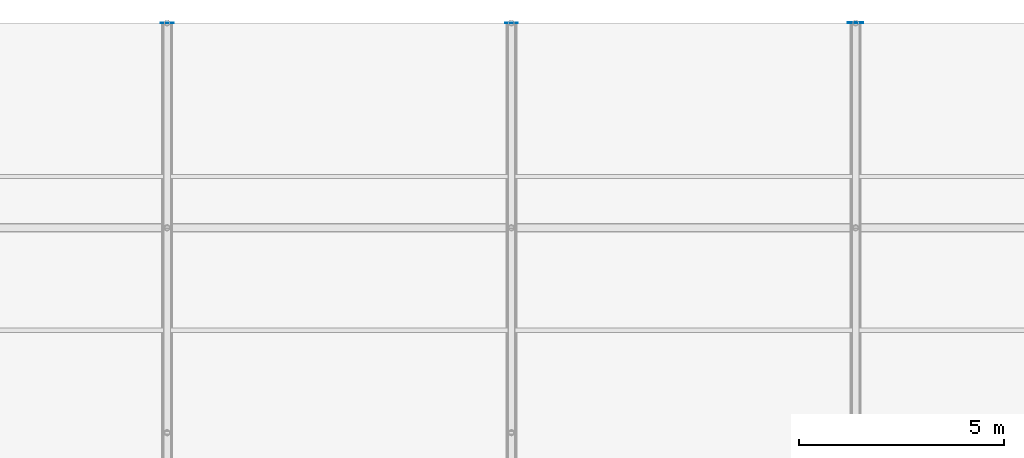
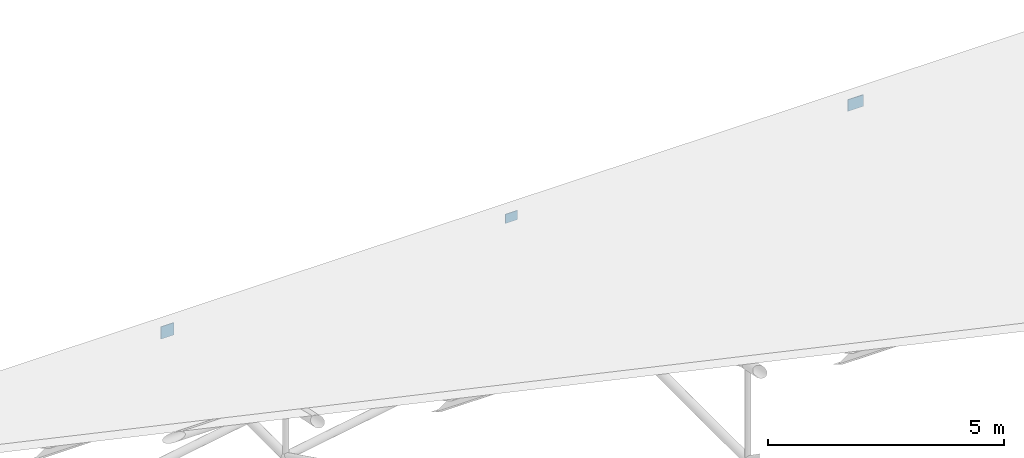
# One storey, part 189 of 194: 3 plates.
"""IFC4 building model written with IfcOpenShell, lengths in metres."""

from ifc_helpers import new_model, si_unit, direction, frame, origin, origin_2d, place, context, subcontext, project, spatial, rectangle, extrude, material, layer, layer_set, type_object, element, save


model = new_model("IFC4")

# Units and contexts
model_context = context("Model", 3, precision=1e-05, world=origin(), true_north=direction((0.0, 1.0)))
body_context = subcontext(model_context, "Body", "Model", "MODEL_VIEW")
ifc_project = project(units=[si_unit("LENGTHUNIT", "METRE"), si_unit("AREAUNIT", "SQUARE_METRE"), si_unit("VOLUMEUNIT", "CUBIC_METRE"), si_unit("PLANEANGLEUNIT", "RADIAN"), si_unit("MASSUNIT", "GRAM", prefix="KILO")], contexts=[model_context])

# Site, building, storey
site_placement = place(None, origin())
site = spatial("IfcSite", under=ifc_project, at=site_placement, CompositionType="ELEMENT")
building_placement = place(site_placement, origin())
building = spatial("IfcBuilding", under=site, at=building_placement, Name="Kazenagashi Tramway Depot", CompositionType="ELEMENT")
storey_placement = place(building_placement, frame((0.0, 0.0, 23.7)))
storey = spatial("IfcBuildingStorey", under=building, at=storey_placement, Name="ROOF", CompositionType="ELEMENT", Elevation=23.7)

# Plates
ifc_material = material(Name="Steel STK490", Category="steel")
ifc_layer_1 = layer(ifc_material, 0.016)
ifc_layer_set_1 = layer_set([ifc_layer_1], Name="Steel STK490")
plate_type_1 = type_object("IfcPlateType", Name="EC-05", PredefinedType="USERDEFINED", material=ifc_layer_set_1)
plate_1_placement = place(storey_placement, frame((120.4, 130.0, -14.06), z_axis=(0.0, 0.0, 1.0), x_axis=(1.0, 0.0, 0.0)))
element("IfcPlate", 1, at=plate_1_placement, inside=storey, type_object=plate_type_1, Name="Structural Node Plate EC-05 PLT-0040", ObjectType="END CAP PLATE", PredefinedType="USERDEFINED", context=body_context, shape_type="SweptSolid", body=[
    extrude(rectangle(XDim=0.32, YDim=0.016, at=origin_2d()), origin(), (0.0, 0.0, 1.0), 0.32),
])
ifc_layer_2 = layer(ifc_material, 0.014)
ifc_layer_set_2 = layer_set([ifc_layer_2], Name="Steel STK490")
plate_type_2 = type_object("IfcPlateType", Name="EC-06", PredefinedType="USERDEFINED", material=ifc_layer_set_2)
plate_2_placement = place(storey_placement, frame((128.8, 130.0, -14.02), z_axis=(0.0, 0.0, 1.0), x_axis=(1.0, 0.0, 0.0)))
element("IfcPlate", 2, at=plate_2_placement, inside=storey, type_object=plate_type_2, Name="Structural Node Plate EC-06 PLT-0044", ObjectType="END CAP PLATE", PredefinedType="USERDEFINED", context=body_context, shape_type="SweptSolid", body=[
    extrude(rectangle(XDim=0.3, YDim=0.014, at=origin_2d()), origin(), (0.0, 0.0, 1.0), 0.24),
])
ifc_layer_3 = layer(ifc_material, 0.018)
ifc_layer_set_3 = layer_set([ifc_layer_3], Name="Steel STK490")
plate_type_3 = type_object("IfcPlateType", Name="EC-07", PredefinedType="USERDEFINED", material=ifc_layer_set_3)
plate_3_placement = place(storey_placement, frame((137.2, 130.0, -14.05), z_axis=(0.0, 0.0, 1.0), x_axis=(1.0, 0.0, 0.0)))
element("IfcPlate", 3, at=plate_3_placement, inside=storey, type_object=plate_type_3, Name="Structural Node Plate EC-07 PLT-0048", ObjectType="END CAP PLATE", PredefinedType="USERDEFINED", context=body_context, shape_type="SweptSolid", body=[
    extrude(rectangle(XDim=0.38, YDim=0.018, at=origin_2d()), origin(), (0.0, 0.0, 1.0), 0.3),
])

save(model, "model.ifc")
